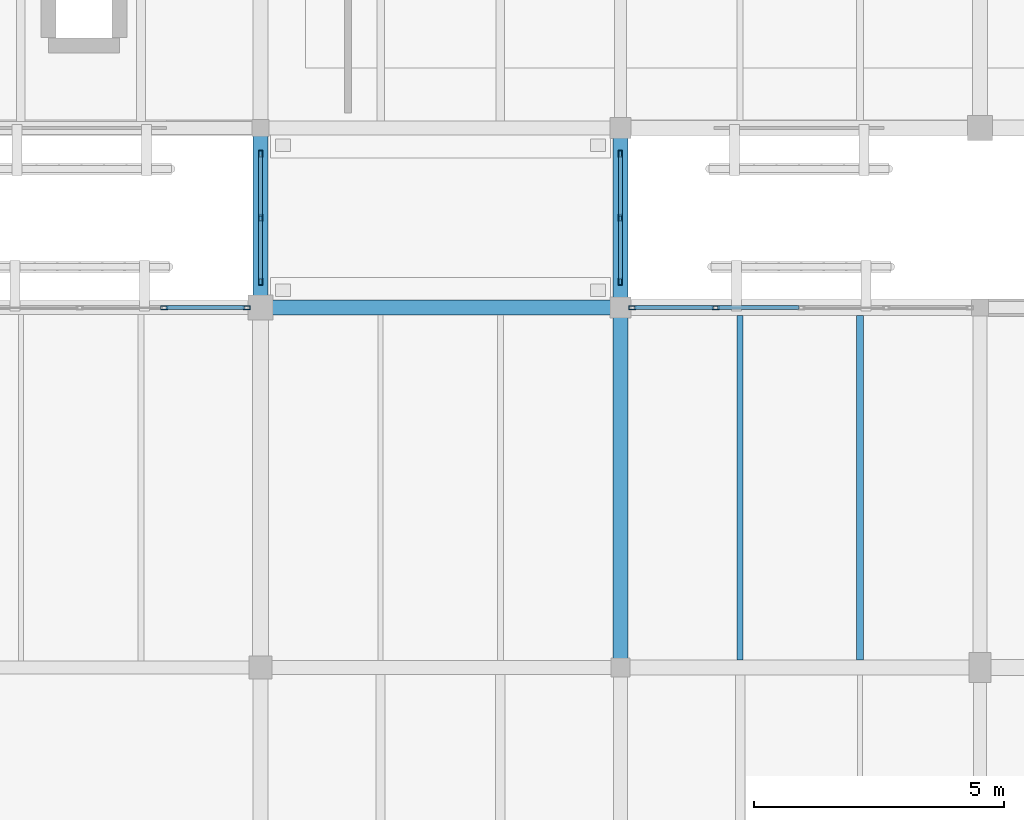
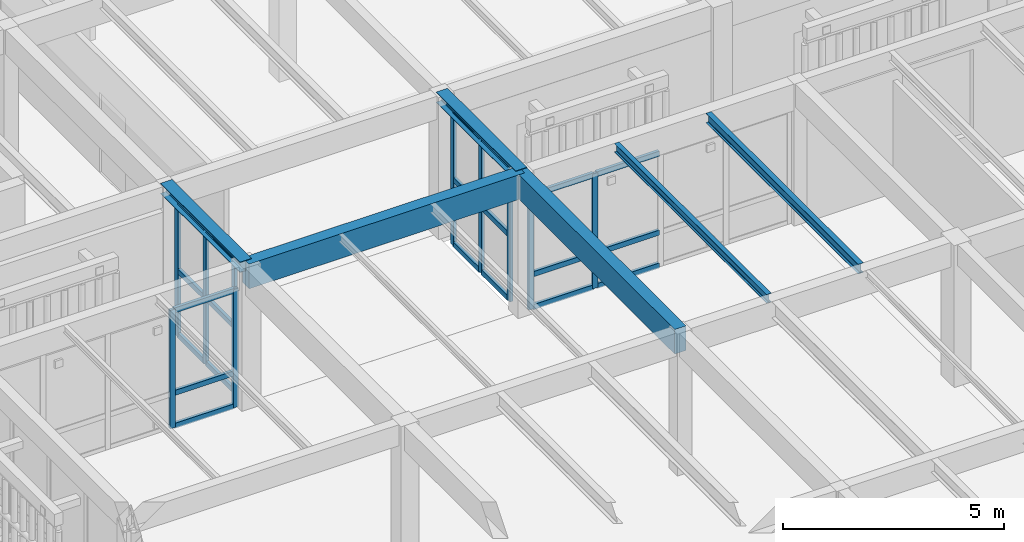
# One storey, part 136 of 217: 31 members, 6 beams, 4 elements without a shape of their own.
"""IFC4 building model written with IfcOpenShell, lengths in metres."""

import ifcopenshell
import ifcopenshell.guid

model = None  # the IFC model being written
_history = None  # IfcOwnerHistory: only IFC2X3 demands one
_inside = {}  # id of a spatial element -> (the spatial element, [elements in it])
_under = {}  # id of a project, library or spatial element -> (it, [spatial elements below it])
_declared = {}  # id of a project -> (the project, [libraries it declares])
_typed = {}  # id of a type object -> (the type object, [elements of that type])
_made_of = {}  # id of a material, layer set ... -> (it, [elements and type objects made of it])


def new_model(schema):
    """Start an empty IFC model of exactly this schema.

    Asked for "IFC4X3", IfcOpenShell would pick the latest addendum, in which some entities
    have other attributes; the version numbers below select the first issue.
    IFC2X3 requires an IfcOwnerHistory on every rooted entity: one is made here for all.
    """
    global model, _history
    if schema == "IFC4X3":
        model = ifcopenshell.file(schema_version=(4, 3, 0, 0))
    else:
        model = ifcopenshell.file(schema=schema)
    _inside.clear()
    _under.clear()
    _declared.clear()
    _typed.clear()
    _made_of.clear()
    _history = None
    if model.schema == "IFC2X3":
        org = make("IfcOrganization", Name="unknown")
        user = make(
            "IfcPersonAndOrganization",
            ThePerson=make("IfcPerson", FamilyName="unknown"),
            TheOrganization=org,
        )
        app = make(
            "IfcApplication",
            ApplicationDeveloper=org,
            Version="unknown",
            ApplicationFullName="unknown",
            ApplicationIdentifier="unknown",
        )
        _history = make(
            "IfcOwnerHistory",
            OwningUser=user,
            OwningApplication=app,
            ChangeAction="ADDED",
            CreationDate=0,
        )
    return model


def make(cls, **values):
    """One entity of the class cls with the attributes given. An attribute that is None is left unset."""
    return model.create_entity(
        cls, **{name: value for name, value in values.items() if value is not None}
    )


def rooted(cls, **values):
    """An entity with a GlobalId (a new one), such as an element, a storey or a relation."""
    return make(cls, GlobalId=ifcopenshell.guid.new(), OwnerHistory=_history, **values)


def si_unit(unit_type, name, prefix=None):
    """IfcSIUnit, for example si_unit("LENGTHUNIT", "METRE", prefix="MILLI")."""
    return make("IfcSIUnit", UnitType=unit_type, Prefix=prefix, Name=name)


def assignment(units):
    """IfcUnitAssignment: the units of a project."""
    return None if units is None else make("IfcUnitAssignment", Units=units)


def point(xyz):
    """IfcCartesianPoint."""
    return None if xyz is None else make("IfcCartesianPoint", Coordinates=xyz)


def direction(xyz):
    """IfcDirection."""
    return None if xyz is None else make("IfcDirection", DirectionRatios=xyz)


def frame(location, z_axis=None, x_axis=None):
    """IfcAxis2Placement3D, a coordinate frame: its origin and axes. An axis left out is left unset."""
    return make(
        "IfcAxis2Placement3D",
        Location=point(location),
        Axis=direction(z_axis),
        RefDirection=direction(x_axis),
    )


def frame_2d(location, x_axis=None):
    """IfcAxis2Placement2D, a coordinate frame in the plane: its origin and x axis."""
    return make(
        "IfcAxis2Placement2D", Location=point(location), RefDirection=direction(x_axis)
    )


def origin():
    """The frame at (0, 0, 0) with its axes left unset."""
    return frame((0.0, 0.0, 0.0))


def origin_2d():
    """The frame at (0, 0) in the plane with its x axis left unset."""
    return frame_2d((0.0, 0.0))


def place(relative_to, where):
    """IfcLocalPlacement: puts the frame where relative to a parent placement (None: the world)."""
    return make(
        "IfcLocalPlacement", PlacementRelTo=relative_to, RelativePlacement=where
    )


def context(
    kind, dimensions, precision=None, world=None, true_north=None, identifier=None
):
    """IfcGeometricRepresentationContext, for example the 3D "Model" context."""
    return make(
        "IfcGeometricRepresentationContext",
        ContextIdentifier=identifier,
        ContextType=kind,
        CoordinateSpaceDimension=dimensions,
        Precision=precision,
        WorldCoordinateSystem=world,
        TrueNorth=true_north,
    )


def subcontext(parent, identifier, kind, view, scale=None):
    """IfcGeometricRepresentationSubContext, for example "Body" below "Model"."""
    return make(
        "IfcGeometricRepresentationSubContext",
        ContextIdentifier=identifier,
        ContextType=kind,
        ParentContext=parent,
        TargetScale=scale,
        TargetView=view,
    )


def project(units=None, contexts=None):
    """IfcProject with its units and contexts."""
    return rooted(
        "IfcProject",
        Name="project",
        RepresentationContexts=contexts,
        UnitsInContext=assignment(units),
    )


def spatial(cls, under=None, at=None, **own):
    """A site, building, storey or space (cls), placed at a placement, below another one or the project."""
    s = rooted(cls, ObjectPlacement=at, **own)
    if under is not None:
        _under.setdefault(under.id(), (under, []))[1].append(s)
    return s


def profile(cls, at=None, kind="AREA", **sizes):
    """A parametric profile (cls). Its sizes go by their IFC names, for example OverallWidth=200.0."""
    return make(cls, ProfileType=kind, Position=at, **sizes)


def rectangle(**sizes):
    """IfcRectangleProfileDef."""
    return profile("IfcRectangleProfileDef", **sizes)


def hollow_rectangle(**sizes):
    """IfcRectangleHollowProfileDef."""
    return profile("IfcRectangleHollowProfileDef", **sizes)


def i_section(**sizes):
    """IfcIShapeProfileDef."""
    return profile("IfcIShapeProfileDef", **sizes)


def extrude(swept, where, along, depth):
    """IfcExtrudedAreaSolid: the profile swept, set in the frame where, extruded along a direction by depth."""
    return make(
        "IfcExtrudedAreaSolid",
        SweptArea=swept,
        Position=where,
        ExtrudedDirection=direction(along),
        Depth=depth,
    )


def shape(context_of_items, identifier, shape_type, items):
    """IfcShapeRepresentation: the items that make up one representation, for example the "Body"."""
    return make(
        "IfcShapeRepresentation",
        ContextOfItems=context_of_items,
        RepresentationIdentifier=identifier,
        RepresentationType=shape_type,
        Items=items,
    )


def material(Name=None, Category=None):
    """IfcMaterial."""
    return make("IfcMaterial", Name=Name, Category=Category)


def layer(
    of_material, thickness, ventilated=None, Name=None, Category=None, Priority=None
):
    """IfcMaterialLayer: one layer of a wall or slab, of a material (None: an air gap)."""
    return make(
        "IfcMaterialLayer",
        Material=of_material,
        LayerThickness=thickness,
        IsVentilated=ventilated,
        Name=Name,
        Category=Category,
        Priority=Priority,
    )


def layer_set(layers, Name=None):
    """IfcMaterialLayerSet."""
    return make("IfcMaterialLayerSet", MaterialLayers=layers, LayerSetName=Name)


def material_profile(
    of_material, cross_section, Name=None, Category=None, Priority=None
):
    """IfcMaterialProfile: a cross section and its material."""
    return make(
        "IfcMaterialProfile",
        Name=Name,
        Material=of_material,
        Profile=cross_section,
        Priority=Priority,
        Category=Category,
    )


def profile_set(profiles, Name=None, composite=None):
    """IfcMaterialProfileSet."""
    return make(
        "IfcMaterialProfileSet",
        Name=Name,
        MaterialProfiles=profiles,
        CompositeProfile=composite,
    )


def made_of(thing, what):
    """Note that an element or type object is made of a material, layer set ...; save() writes the relation."""
    if what is not None:
        _made_of.setdefault(what.id(), (what, []))[1].append(thing)
    return thing


def type_object(cls, material=None, **own):
    """A type object (cls), such as IfcWallType, which elements share."""
    return made_of(rooted(cls, **own), material)


def element(
    cls,
    number,
    at=None,
    inside=None,
    cuts=None,
    type_object=None,
    material=None,
    context=None,
    identifier="Body",
    shape_type=None,
    held_by="IfcProductDefinitionShape",
    body=None,
    shapes=None,
    **own,
):
    """One element of the class cls, such as IfcWall. Its Tag is "e" and its number.

    at: its placement. inside: the storey or other place that contains it. cuts: it is an
    opening in that element (IfcRelVoidsElement). A single representation is given by context,
    identifier, shape_type and body (its items); several are given by shapes. held_by: the class
    of the entity that holds the representations. save() writes the other relations.
    """
    e = rooted(cls, Tag="e%d" % number, ObjectPlacement=at, **own)
    if body is not None:
        shapes = [shape(context, identifier, shape_type, body)]
    if shapes is not None:
        e.Representation = make(held_by, Representations=shapes)
    if inside is not None:
        _inside.setdefault(inside.id(), (inside, []))[1].append(e)
    if cuts is not None:
        rooted(
            "IfcRelVoidsElement", RelatingBuildingElement=cuts, RelatedOpeningElement=e
        )
    if type_object is not None:
        _typed.setdefault(type_object.id(), (type_object, []))[1].append(e)
    return made_of(e, material)


def aggregate(whole, parts):
    """IfcRelAggregates: a whole, such as a stair, and the parts it consists of."""
    return rooted("IfcRelAggregates", RelatingObject=whole, RelatedObjects=parts)


def save(model, path):
    """Write the relations noted so far, then the file.

    IfcRelAggregates (storeys below a building ...), IfcRelContainedInSpatialStructure (elements
    in a storey), IfcRelDefinesByType, IfcRelAssociatesMaterial and IfcRelDeclares: one each for
    every whole, place, type object, material and project.
    """
    for whole, parts in _under.values():
        aggregate(whole, parts)
    for where, things in _inside.values():
        rooted(
            "IfcRelContainedInSpatialStructure",
            RelatedElements=things,
            RelatingStructure=where,
        )
    for kind, things in _typed.values():
        rooted("IfcRelDefinesByType", RelatedObjects=things, RelatingType=kind)
    for what, things in _made_of.values():
        rooted("IfcRelAssociatesMaterial", RelatedObjects=things, RelatingMaterial=what)
    for by, libraries in _declared.values():
        rooted("IfcRelDeclares", RelatingContext=by, RelatedDefinitions=libraries)
    model.write(path)


model = new_model("IFC4")

# Units and contexts
model_context = context("Model", 3, precision=1e-05, world=origin(), true_north=direction((0.0, 1.0)))
body_context = subcontext(model_context, "Body", "Model", "MODEL_VIEW")
ifc_project = project(units=[si_unit("LENGTHUNIT", "METRE"), si_unit("AREAUNIT", "SQUARE_METRE"), si_unit("VOLUMEUNIT", "CUBIC_METRE"), si_unit("PLANEANGLEUNIT", "RADIAN"), si_unit("MASSUNIT", "GRAM", prefix="KILO")], contexts=[model_context])

# Site, building, storey
site_placement = place(None, origin())
site = spatial("IfcSite", under=ifc_project, at=site_placement, CompositionType="ELEMENT")
building_placement = place(site_placement, origin())
building = spatial("IfcBuilding", under=site, at=building_placement, Name="Mazaris Harbour Polytechnic", CompositionType="ELEMENT")
storey_placement = place(building_placement, frame((0.0, 0.0, 9.60009765625)))
storey = spatial("IfcBuildingStorey", under=building, at=storey_placement, Name="L02", CompositionType="ELEMENT", Elevation=9.60009765625)

# Curtain wall, members
ifc_material_1 = material(Name="Anodised Bronze Aluminium and Low-E Glass", Category="aluminium")
ifc_layer_1 = layer(ifc_material_1, 0.159912109375, Name="Anodised Bronze Aluminium and Low-E Glass")
ifc_layer_set_1 = layer_set([ifc_layer_1], Name="Anodised Bronze Aluminium and Low-E Glass")
curtain_wall_type_1 = type_object("IfcCurtainWallType", Name="Cloister Court Curtain Wall", PredefinedType="NOTDEFINED", material=ifc_layer_set_1)
curtain_wall_1_placement = place(storey_placement, origin())
curtain_wall_1 = element("IfcCurtainWall", 1, at=curtain_wall_1_placement, inside=storey, type_object=curtain_wall_type_1, Name="V2 L02 Curtain Wall 49", PredefinedType="NOTDEFINED")
ifc_material_2 = material(Name="Anodised Bronze Steel S355", Category="steel")
ifc_material_profile_1 = material_profile(ifc_material_2, hollow_rectangle(XDim=0.080078125, YDim=0.139892578125, WallThickness=0.00634765625, at=origin_2d()), Name="RHS 80x140x6.3")
ifc_profile_set_1 = profile_set([ifc_material_profile_1], Name="Anodised Bronze Steel S355")
member_type_1 = type_object("IfcMemberType", Name="Curtain Mullion RHS80x140", PredefinedType="MULLION", material=ifc_profile_set_1)
member_1_placement = place(storey_placement, frame((127.66650390625, 43.199951171875, 0.0), z_axis=(0.0, 0.0, 1.0), x_axis=(0.0, 1.0, 0.0)))
member_1 = element("IfcMember", 2, at=member_1_placement, type_object=member_type_1, Name="CW-02 mullion 4", PredefinedType="MULLION", context=body_context, shape_type="SweptSolid", body=[
    extrude(hollow_rectangle(XDim=0.080078125, YDim=0.139892578125, WallThickness=0.00634765625, at=origin_2d()), origin(), (0.0, 0.0, 1.0), 3.27001953125),
])
member_2_placement = place(storey_placement, frame((129.318115234375, 43.199951171875, 0.0), z_axis=(0.0, 0.0, 1.0), x_axis=(0.0, 1.0, 0.0)))
member_2 = element("IfcMember", 3, at=member_2_placement, type_object=member_type_1, Name="CW-02 mullion 5", PredefinedType="MULLION", context=body_context, shape_type="SweptSolid", body=[
    extrude(hollow_rectangle(XDim=0.080078125, YDim=0.139892578125, WallThickness=0.00634765625, at=origin_2d()), origin(), (0.0, 0.0, 1.0), 3.27001953125),
])

curtain_wall_2_placement = place(storey_placement, origin())
curtain_wall_2 = element("IfcCurtainWall", 4, at=curtain_wall_2_placement, inside=storey, type_object=curtain_wall_type_1, Name="V2 L02 Curtain Wall 50", PredefinedType="NOTDEFINED")
member_3_placement = place(storey_placement, frame((137.0419921875, 43.199951171875, 0.0), z_axis=(0.0, 0.0, 1.0), x_axis=(0.0, 1.0, 0.0)))
member_3 = element("IfcMember", 5, at=member_3_placement, type_object=member_type_1, Name="CW-02 mullion 1", PredefinedType="MULLION", context=body_context, shape_type="SweptSolid", body=[
    extrude(hollow_rectangle(XDim=0.080078125, YDim=0.139892578125, WallThickness=0.00634765625, at=origin_2d()), origin(), (0.0, 0.0, 1.0), 3.169921875),
])
member_4_placement = place(storey_placement, frame((138.7109375, 43.199951171875, 0.0), z_axis=(0.0, 0.0, 1.0), x_axis=(0.0, 1.0, 0.0)))
member_4 = element("IfcMember", 6, at=member_4_placement, type_object=member_type_1, Name="CW-02 mullion 2", PredefinedType="MULLION", context=body_context, shape_type="SweptSolid", body=[
    extrude(hollow_rectangle(XDim=0.080078125, YDim=0.139892578125, WallThickness=0.00634765625, at=origin_2d()), origin(), (0.0, 0.0, 1.0), 3.169921875),
])

ifc_material_3 = material(Name="Anodised Bronze Aluminium and Low-E Glass", Category="aluminium")
ifc_layer_2 = layer(ifc_material_3, 0.139892578125, Name="Anodised Bronze Aluminium and Low-E Glass")
ifc_layer_set_2 = layer_set([ifc_layer_2], Name="Anodised Bronze Aluminium and Low-E Glass")
curtain_wall_type_2 = type_object("IfcCurtainWallType", Name="Seismic Link Bridge Glazing", PredefinedType="NOTDEFINED", material=ifc_layer_set_2)
curtain_wall_3_placement = place(storey_placement, origin())
curtain_wall_3 = element("IfcCurtainWall", 7, at=curtain_wall_3_placement, inside=storey, type_object=curtain_wall_type_2, Name="PB-NE L02 Bridge Glazing", PredefinedType="NOTDEFINED")
member_5_placement = place(storey_placement, frame((129.60009765625, 46.280029296875, 0.0), z_axis=(0.0, 0.0, 1.0), x_axis=(1.0, 0.0, 0.0)))
member_5 = element("IfcMember", 8, at=member_5_placement, type_object=member_type_1, Name="CW-05 mullion 1", PredefinedType="MULLION", context=body_context, shape_type="SweptSolid", body=[
    extrude(hollow_rectangle(XDim=0.080078125, YDim=0.139892578125, WallThickness=0.00634765625, at=origin_2d()), origin(), (0.0, 0.0, 1.0), 3.635009765625),
])
member_6_placement = place(storey_placement, frame((129.60009765625, 45.0, 0.0), z_axis=(0.0, 0.0, 1.0), x_axis=(1.0, 0.0, 0.0)))
member_6 = element("IfcMember", 9, at=member_6_placement, type_object=member_type_1, Name="CW-05 mullion 2", PredefinedType="MULLION", context=body_context, shape_type="SweptSolid", body=[
    extrude(hollow_rectangle(XDim=0.080078125, YDim=0.139892578125, WallThickness=0.00634765625, at=origin_2d()), origin(), (0.0, 0.0, 1.0), 3.635009765625),
])
member_7_placement = place(storey_placement, frame((129.60009765625, 43.719970703125, 0.0), z_axis=(0.0, 0.0, 1.0), x_axis=(1.0, 0.0, 0.0)))
member_7 = element("IfcMember", 10, at=member_7_placement, type_object=member_type_1, Name="CW-05 mullion 3", PredefinedType="MULLION", context=body_context, shape_type="SweptSolid", body=[
    extrude(hollow_rectangle(XDim=0.080078125, YDim=0.139892578125, WallThickness=0.00634765625, at=origin_2d()), origin(), (0.0, 0.0, 1.0), 3.635009765625),
])

curtain_wall_4_placement = place(storey_placement, origin())
curtain_wall_4 = element("IfcCurtainWall", 11, at=curtain_wall_4_placement, inside=storey, type_object=curtain_wall_type_2, Name="PB-NE L02 Bridge Glazing", PredefinedType="NOTDEFINED")
member_8_placement = place(storey_placement, frame((136.800048828125, 43.719970703125, 0.0), z_axis=(0.0, 0.0, 1.0), x_axis=(-1.0, 0.0, 0.0)))
member_8 = element("IfcMember", 12, at=member_8_placement, type_object=member_type_1, Name="CW-05 mullion 1", PredefinedType="MULLION", context=body_context, shape_type="SweptSolid", body=[
    extrude(hollow_rectangle(XDim=0.080078125, YDim=0.139892578125, WallThickness=0.00634765625, at=origin_2d()), origin(), (0.0, 0.0, 1.0), 3.635009765625),
])
member_9_placement = place(storey_placement, frame((136.800048828125, 45.0, 0.0), z_axis=(0.0, 0.0, 1.0), x_axis=(-1.0, 0.0, 0.0)))
member_9 = element("IfcMember", 13, at=member_9_placement, type_object=member_type_1, Name="CW-05 mullion 2", PredefinedType="MULLION", context=body_context, shape_type="SweptSolid", body=[
    extrude(hollow_rectangle(XDim=0.080078125, YDim=0.139892578125, WallThickness=0.00634765625, at=origin_2d()), origin(), (0.0, 0.0, 1.0), 3.635009765625),
])
member_10_placement = place(storey_placement, frame((136.800048828125, 46.280029296875, 0.0), z_axis=(0.0, 0.0, 1.0), x_axis=(-1.0, 0.0, 0.0)))
member_10 = element("IfcMember", 14, at=member_10_placement, type_object=member_type_1, Name="CW-05 mullion 3", PredefinedType="MULLION", context=body_context, shape_type="SweptSolid", body=[
    extrude(hollow_rectangle(XDim=0.080078125, YDim=0.139892578125, WallThickness=0.00634765625, at=origin_2d()), origin(), (0.0, 0.0, 1.0), 3.635009765625),
])

# Member
ifc_material_4 = material(Name="Anodised Bronze Steel S355", Category="steel")
ifc_material_profile_2 = material_profile(ifc_material_4, hollow_rectangle(XDim=0.080078125, YDim=0.139892578125, WallThickness=0.00634765625, at=origin_2d()), Name="RHS 80x140x6.3")
ifc_profile_set_2 = profile_set([ifc_material_profile_2], Name="Anodised Bronze Steel S355")
member_type_2 = type_object("IfcMemberType", Name="Curtain Transom RHS80x140", PredefinedType="USERDEFINED", material=ifc_profile_set_2)
member_11_placement = place(storey_placement, frame((127.70654296875, 43.199951171875, 0.039794921875), z_axis=(1.0, 0.0, 0.0), x_axis=(0.0, 1.0, 0.0)))
member_11 = element("IfcMember", 15, at=member_11_placement, type_object=member_type_2, Name="CW-02 transom 4.1", ObjectType="TRANSOM", PredefinedType="USERDEFINED", context=body_context, shape_type="SweptSolid", body=[
    extrude(hollow_rectangle(XDim=0.080078125, YDim=0.139892578125, WallThickness=0.00634765625, at=origin_2d()), origin(), (0.0, 0.0, 1.0), 1.571533203125),
])

member_12_placement = place(storey_placement, frame((127.70654296875, 43.199951171875, 0.949951171875), z_axis=(1.0, 0.0, 0.0), x_axis=(0.0, 1.0, 0.0)))
member_12 = element("IfcMember", 16, at=member_12_placement, type_object=member_type_2, Name="CW-02 transom 4.2", ObjectType="TRANSOM", PredefinedType="USERDEFINED", context=body_context, shape_type="SweptSolid", body=[
    extrude(hollow_rectangle(XDim=0.080078125, YDim=0.139892578125, WallThickness=0.00634765625, at=origin_2d()), origin(), (0.0, 0.0, 1.0), 1.571533203125),
])

member_13_placement = place(storey_placement, frame((127.70654296875, 43.199951171875, 3.22998046875), z_axis=(1.0, 0.0, 0.0), x_axis=(0.0, 1.0, 0.0)))
member_13 = element("IfcMember", 17, at=member_13_placement, type_object=member_type_2, Name="CW-02 transom 4.3", ObjectType="TRANSOM", PredefinedType="USERDEFINED", context=body_context, shape_type="SweptSolid", body=[
    extrude(hollow_rectangle(XDim=0.080078125, YDim=0.139892578125, WallThickness=0.00634765625, at=origin_2d()), origin(), (0.0, 0.0, 1.0), 1.571533203125),
])

aggregate(curtain_wall_1, [member_1, member_2, member_11, member_12, member_13])

member_14_placement = place(storey_placement, frame((137.08203125, 43.199951171875, 0.039794921875), z_axis=(1.0, 0.0, 0.0), x_axis=(0.0, 1.0, 0.0)))
member_14 = element("IfcMember", 18, at=member_14_placement, type_object=member_type_2, Name="CW-02 transom 1.1", ObjectType="TRANSOM", PredefinedType="USERDEFINED", context=body_context, shape_type="SweptSolid", body=[
    extrude(hollow_rectangle(XDim=0.080078125, YDim=0.139892578125, WallThickness=0.00634765625, at=origin_2d()), origin(), (0.0, 0.0, 1.0), 1.5888671875),
])

member_15_placement = place(storey_placement, frame((137.08203125, 43.199951171875, 0.949951171875), z_axis=(1.0, 0.0, 0.0), x_axis=(0.0, 1.0, 0.0)))
member_15 = element("IfcMember", 19, at=member_15_placement, type_object=member_type_2, Name="CW-02 transom 1.2", ObjectType="TRANSOM", PredefinedType="USERDEFINED", context=body_context, shape_type="SweptSolid", body=[
    extrude(hollow_rectangle(XDim=0.080078125, YDim=0.139892578125, WallThickness=0.00634765625, at=origin_2d()), origin(), (0.0, 0.0, 1.0), 1.5888671875),
])

member_16_placement = place(storey_placement, frame((137.08203125, 43.199951171875, 3.1298828125), z_axis=(1.0, 0.0, 0.0), x_axis=(0.0, 1.0, 0.0)))
member_16 = element("IfcMember", 20, at=member_16_placement, type_object=member_type_2, Name="CW-02 transom 1.3", ObjectType="TRANSOM", PredefinedType="USERDEFINED", context=body_context, shape_type="SweptSolid", body=[
    extrude(hollow_rectangle(XDim=0.080078125, YDim=0.139892578125, WallThickness=0.00634765625, at=origin_2d()), origin(), (0.0, 0.0, 1.0), 1.5888671875),
])

member_17_placement = place(storey_placement, frame((138.7509765625, 43.199951171875, 0.039794921875), z_axis=(1.0, 0.0, 0.0), x_axis=(0.0, 1.0, 0.0)))
member_17 = element("IfcMember", 21, at=member_17_placement, type_object=member_type_2, Name="CW-02 transom 2.1", ObjectType="TRANSOM", PredefinedType="USERDEFINED", context=body_context, shape_type="SweptSolid", body=[
    extrude(hollow_rectangle(XDim=0.080078125, YDim=0.139892578125, WallThickness=0.00634765625, at=origin_2d()), origin(), (0.0, 0.0, 1.0), 1.62890625),
])

member_18_placement = place(storey_placement, frame((138.7509765625, 43.199951171875, 0.949951171875), z_axis=(1.0, 0.0, 0.0), x_axis=(0.0, 1.0, 0.0)))
member_18 = element("IfcMember", 22, at=member_18_placement, type_object=member_type_2, Name="CW-02 transom 2.2", ObjectType="TRANSOM", PredefinedType="USERDEFINED", context=body_context, shape_type="SweptSolid", body=[
    extrude(hollow_rectangle(XDim=0.080078125, YDim=0.139892578125, WallThickness=0.00634765625, at=origin_2d()), origin(), (0.0, 0.0, 1.0), 1.62890625),
])

member_19_placement = place(storey_placement, frame((138.7509765625, 43.199951171875, 3.1298828125), z_axis=(1.0, 0.0, 0.0), x_axis=(0.0, 1.0, 0.0)))
member_19 = element("IfcMember", 23, at=member_19_placement, type_object=member_type_2, Name="CW-02 transom 2.3", ObjectType="TRANSOM", PredefinedType="USERDEFINED", context=body_context, shape_type="SweptSolid", body=[
    extrude(hollow_rectangle(XDim=0.080078125, YDim=0.139892578125, WallThickness=0.00634765625, at=origin_2d()), origin(), (0.0, 0.0, 1.0), 1.62890625),
])

aggregate(curtain_wall_2, [member_3, member_4, member_14, member_15, member_16, member_17, member_18, member_19])

member_20_placement = place(storey_placement, frame((129.60009765625, 46.239990234375, 0.039794921875), z_axis=(0.0, -1.0, 0.0), x_axis=(1.0, 0.0, 0.0)))
member_20 = element("IfcMember", 24, at=member_20_placement, type_object=member_type_2, Name="CW-05 transom 1.1", ObjectType="TRANSOM", PredefinedType="USERDEFINED", context=body_context, shape_type="SweptSolid", body=[
    extrude(hollow_rectangle(XDim=0.080078125, YDim=0.139892578125, WallThickness=0.00634765625, at=origin_2d()), origin(), (0.0, 0.0, 1.0), 1.199951171875),
])

member_21_placement = place(storey_placement, frame((129.60009765625, 46.239990234375, 1.8173828125), z_axis=(0.0, -1.0, 0.0), x_axis=(1.0, 0.0, 0.0)))
member_21 = element("IfcMember", 25, at=member_21_placement, type_object=member_type_2, Name="CW-05 transom 1.2", ObjectType="TRANSOM", PredefinedType="USERDEFINED", context=body_context, shape_type="SweptSolid", body=[
    extrude(hollow_rectangle(XDim=0.080078125, YDim=0.139892578125, WallThickness=0.00634765625, at=origin_2d()), origin(), (0.0, 0.0, 1.0), 1.199951171875),
])

member_22_placement = place(storey_placement, frame((129.60009765625, 46.239990234375, 3.594970703125), z_axis=(0.0, -1.0, 0.0), x_axis=(1.0, 0.0, 0.0)))
member_22 = element("IfcMember", 26, at=member_22_placement, type_object=member_type_2, Name="CW-05 transom 1.3", ObjectType="TRANSOM", PredefinedType="USERDEFINED", context=body_context, shape_type="SweptSolid", body=[
    extrude(hollow_rectangle(XDim=0.080078125, YDim=0.139892578125, WallThickness=0.00634765625, at=origin_2d()), origin(), (0.0, 0.0, 1.0), 1.199951171875),
])

member_23_placement = place(storey_placement, frame((129.60009765625, 44.9599609375, 0.039794921875), z_axis=(0.0, -1.0, 0.0), x_axis=(1.0, 0.0, 0.0)))
member_23 = element("IfcMember", 27, at=member_23_placement, type_object=member_type_2, Name="CW-05 transom 2.1", ObjectType="TRANSOM", PredefinedType="USERDEFINED", context=body_context, shape_type="SweptSolid", body=[
    extrude(hollow_rectangle(XDim=0.080078125, YDim=0.139892578125, WallThickness=0.00634765625, at=origin_2d()), origin(), (0.0, 0.0, 1.0), 1.199951171875),
])

member_24_placement = place(storey_placement, frame((129.60009765625, 44.9599609375, 1.8173828125), z_axis=(0.0, -1.0, 0.0), x_axis=(1.0, 0.0, 0.0)))
member_24 = element("IfcMember", 28, at=member_24_placement, type_object=member_type_2, Name="CW-05 transom 2.2", ObjectType="TRANSOM", PredefinedType="USERDEFINED", context=body_context, shape_type="SweptSolid", body=[
    extrude(hollow_rectangle(XDim=0.080078125, YDim=0.139892578125, WallThickness=0.00634765625, at=origin_2d()), origin(), (0.0, 0.0, 1.0), 1.199951171875),
])

member_25_placement = place(storey_placement, frame((129.60009765625, 44.9599609375, 3.594970703125), z_axis=(0.0, -1.0, 0.0), x_axis=(1.0, 0.0, 0.0)))
member_25 = element("IfcMember", 29, at=member_25_placement, type_object=member_type_2, Name="CW-05 transom 2.3", ObjectType="TRANSOM", PredefinedType="USERDEFINED", context=body_context, shape_type="SweptSolid", body=[
    extrude(hollow_rectangle(XDim=0.080078125, YDim=0.139892578125, WallThickness=0.00634765625, at=origin_2d()), origin(), (0.0, 0.0, 1.0), 1.199951171875),
])

aggregate(curtain_wall_3, [member_5, member_6, member_7, member_20, member_21, member_22, member_23, member_24, member_25])

member_26_placement = place(storey_placement, frame((136.800048828125, 43.760009765625, 0.039794921875), z_axis=(0.0, 1.0, 0.0), x_axis=(-1.0, 0.0, 0.0)))
member_26 = element("IfcMember", 30, at=member_26_placement, type_object=member_type_2, Name="CW-05 transom 1.1", ObjectType="TRANSOM", PredefinedType="USERDEFINED", context=body_context, shape_type="SweptSolid", body=[
    extrude(hollow_rectangle(XDim=0.080078125, YDim=0.139892578125, WallThickness=0.00634765625, at=origin_2d()), origin(), (0.0, 0.0, 1.0), 1.199951171875),
])

member_27_placement = place(storey_placement, frame((136.800048828125, 43.760009765625, 1.8173828125), z_axis=(0.0, 1.0, 0.0), x_axis=(-1.0, 0.0, 0.0)))
member_27 = element("IfcMember", 31, at=member_27_placement, type_object=member_type_2, Name="CW-05 transom 1.2", ObjectType="TRANSOM", PredefinedType="USERDEFINED", context=body_context, shape_type="SweptSolid", body=[
    extrude(hollow_rectangle(XDim=0.080078125, YDim=0.139892578125, WallThickness=0.00634765625, at=origin_2d()), origin(), (0.0, 0.0, 1.0), 1.199951171875),
])

member_28_placement = place(storey_placement, frame((136.800048828125, 43.760009765625, 3.594970703125), z_axis=(0.0, 1.0, 0.0), x_axis=(-1.0, 0.0, 0.0)))
member_28 = element("IfcMember", 32, at=member_28_placement, type_object=member_type_2, Name="CW-05 transom 1.3", ObjectType="TRANSOM", PredefinedType="USERDEFINED", context=body_context, shape_type="SweptSolid", body=[
    extrude(hollow_rectangle(XDim=0.080078125, YDim=0.139892578125, WallThickness=0.00634765625, at=origin_2d()), origin(), (0.0, 0.0, 1.0), 1.199951171875),
])

member_29_placement = place(storey_placement, frame((136.800048828125, 45.0400390625, 0.039794921875), z_axis=(0.0, 1.0, 0.0), x_axis=(-1.0, 0.0, 0.0)))
member_29 = element("IfcMember", 33, at=member_29_placement, type_object=member_type_2, Name="CW-05 transom 2.1", ObjectType="TRANSOM", PredefinedType="USERDEFINED", context=body_context, shape_type="SweptSolid", body=[
    extrude(hollow_rectangle(XDim=0.080078125, YDim=0.139892578125, WallThickness=0.00634765625, at=origin_2d()), origin(), (0.0, 0.0, 1.0), 1.199951171875),
])

member_30_placement = place(storey_placement, frame((136.800048828125, 45.0400390625, 1.8173828125), z_axis=(0.0, 1.0, 0.0), x_axis=(-1.0, 0.0, 0.0)))
member_30 = element("IfcMember", 34, at=member_30_placement, type_object=member_type_2, Name="CW-05 transom 2.2", ObjectType="TRANSOM", PredefinedType="USERDEFINED", context=body_context, shape_type="SweptSolid", body=[
    extrude(hollow_rectangle(XDim=0.080078125, YDim=0.139892578125, WallThickness=0.00634765625, at=origin_2d()), origin(), (0.0, 0.0, 1.0), 1.199951171875),
])

member_31_placement = place(storey_placement, frame((136.800048828125, 45.0400390625, 3.594970703125), z_axis=(0.0, 1.0, 0.0), x_axis=(-1.0, 0.0, 0.0)))
member_31 = element("IfcMember", 35, at=member_31_placement, type_object=member_type_2, Name="CW-05 transom 2.3", ObjectType="TRANSOM", PredefinedType="USERDEFINED", context=body_context, shape_type="SweptSolid", body=[
    extrude(hollow_rectangle(XDim=0.080078125, YDim=0.139892578125, WallThickness=0.00634765625, at=origin_2d()), origin(), (0.0, 0.0, 1.0), 1.199951171875),
])

aggregate(curtain_wall_4, [member_8, member_9, member_10, member_26, member_27, member_28, member_29, member_30, member_31])

# Beams
ifc_material_5 = material(Name="Glulam GL32h", Category="wood")
ifc_material_profile_3 = material_profile(ifc_material_5, rectangle(XDim=0.300048828125, YDim=0.679931640625, at=origin_2d()), Name="RECT300x680")
ifc_profile_set_3 = profile_set([ifc_material_profile_3], Name="Glulam GL32h")
beam_type_1 = type_object("IfcBeamType", Name="Glulam Girder 300x680", PredefinedType="BEAM", material=ifc_profile_set_3)
beam_1_placement = place(storey_placement, frame((136.800048828125, 36.0, 3.579833984375), z_axis=(0.0, 1.0, 0.0), x_axis=(-1.0, 0.0, 0.0)))
element("IfcBeam", 36, at=beam_1_placement, inside=storey, type_object=beam_type_1, Name="V2 L02 Tie Girder 683", PredefinedType="BEAM", context=body_context, shape_type="SweptSolid", body=[
    extrude(rectangle(XDim=0.300048828125, YDim=0.679931640625, at=origin_2d()), origin(), (0.0, 0.0, 1.0), 7.199951171875),
])
ifc_material_6 = material(Name="Glulam GL32h", Category="wood")
ifc_material_profile_4 = material_profile(ifc_material_6, rectangle(XDim=0.300048828125, YDim=0.679931640625, at=origin_2d()), Name="RECT300x680")
ifc_profile_set_4 = profile_set([ifc_material_profile_4], Name="Glulam GL32h")
beam_type_2 = type_object("IfcBeamType", Name="Glulam Girder 300x680 Exterior", PredefinedType="BEAM", material=ifc_profile_set_4)
beam_2_placement = place(storey_placement, frame((129.60009765625, 43.199951171875, 3.579833984375), z_axis=(1.0, 0.0, 0.0), x_axis=(0.0, 1.0, 0.0)))
element("IfcBeam", 37, at=beam_2_placement, inside=storey, type_object=beam_type_2, Name="V2 L02 Girder 668", PredefinedType="BEAM", context=body_context, shape_type="SweptSolid", body=[
    extrude(rectangle(XDim=0.300048828125, YDim=0.679931640625, at=origin_2d()), origin(), (0.0, 0.0, 1.0), 7.199951171875),
])
ifc_material_7 = material(Name="Steel S355", Category="steel")
ifc_material_profile_5 = material_profile(ifc_material_7, i_section(OverallWidth=0.300048828125, OverallDepth=0.2900390625, WebThickness=0.008544921875, FlangeThickness=0.013916015625, FilletRadius=0.027099609375, at=origin_2d()), Name="HEA 300")
ifc_profile_set_5 = profile_set([ifc_material_profile_5], Name="Steel S355")
beam_type_3 = type_object("IfcBeamType", Name="Steel Beam HEA300 Exterior", PredefinedType="SPANDREL", material=ifc_profile_set_5)
for number, where, z_axis, x_axis, name in (
    (38, (129.60009765625, 43.199951171875, 3.789794921875), (0.0, 1.0, 0.0), (-1.0, 0.0, 0.0), "PB-NE L02 Bridge Girder 3477"),
    (39, (136.800048828125, 43.199951171875, 3.789794921875), (0.0, 1.0, 0.0), (-1.0, 0.0, 0.0), "PB-NE L02 Bridge Girder 3478"),
):
    element("IfcBeam", number, at=place(storey_placement, frame(where, z_axis=z_axis, x_axis=x_axis)), inside=storey, type_object=beam_type_3, Name=name, PredefinedType="SPANDREL", context=body_context, shape_type="SweptSolid", body=[
        extrude(i_section(OverallWidth=0.300048828125, OverallDepth=0.2900390625, WebThickness=0.008544921875, FlangeThickness=0.013916015625, FilletRadius=0.027099609375, at=origin_2d()), origin(), (0.0, 0.0, 1.0), 3.60009765625),
    ])
ifc_material_8 = material(Name="Steel S355", Category="steel")
ifc_material_profile_6 = material_profile(ifc_material_8, i_section(OverallWidth=0.1201171875, OverallDepth=0.239990234375, WebThickness=0.006103515625, FlangeThickness=0.009765625, FilletRadius=0.014892578125, at=origin_2d()), Name="IPE 240")
ifc_profile_set_6 = profile_set([ifc_material_profile_6], Name="Steel S355")
beam_type_4 = type_object("IfcBeamType", Name="Steel Joist IPE240", PredefinedType="JOIST", material=ifc_profile_set_6)
beam_3_placement = place(storey_placement, frame((139.199951171875, 36.14990234375, 3.7998046875), z_axis=(0.0, 1.0, 0.0), x_axis=(-1.0, 0.0, 0.0)))
element("IfcBeam", 40, at=beam_3_placement, inside=storey, type_object=beam_type_4, Name="V2 L02 Floor Joist 715", PredefinedType="JOIST", context=body_context, shape_type="SweptSolid", body=[
    extrude(i_section(OverallWidth=0.1201171875, OverallDepth=0.239990234375, WebThickness=0.006103515625, FlangeThickness=0.009765625, FilletRadius=0.014892578125, at=origin_2d()), origin(), (0.0, 0.0, 1.0), 6.89013671875),
])
ifc_material_9 = material(Name="Steel S355", Category="steel")
ifc_material_profile_7 = material_profile(ifc_material_9, i_section(OverallWidth=0.135009765625, OverallDepth=0.27001953125, WebThickness=0.006591796875, FlangeThickness=0.01025390625, FilletRadius=0.014892578125, at=origin_2d()), Name="IPE 270")
ifc_profile_set_7 = profile_set([ifc_material_profile_7], Name="Steel S355")
beam_type_5 = type_object("IfcBeamType", Name="Steel Joist IPE270", PredefinedType="JOIST", material=ifc_profile_set_7)
beam_4_placement = place(storey_placement, frame((141.60009765625, 36.14990234375, 3.784912109375), z_axis=(0.0, 1.0, 0.0), x_axis=(-1.0, 0.0, 0.0)))
element("IfcBeam", 41, at=beam_4_placement, inside=storey, type_object=beam_type_5, Name="V2 L02 Floor Joist 716", PredefinedType="JOIST", context=body_context, shape_type="SweptSolid", body=[
    extrude(i_section(OverallWidth=0.135009765625, OverallDepth=0.27001953125, WebThickness=0.006591796875, FlangeThickness=0.01025390625, FilletRadius=0.014892578125, at=origin_2d()), origin(), (0.0, 0.0, 1.0), 6.89013671875),
])

save(model, "model.ifc")
